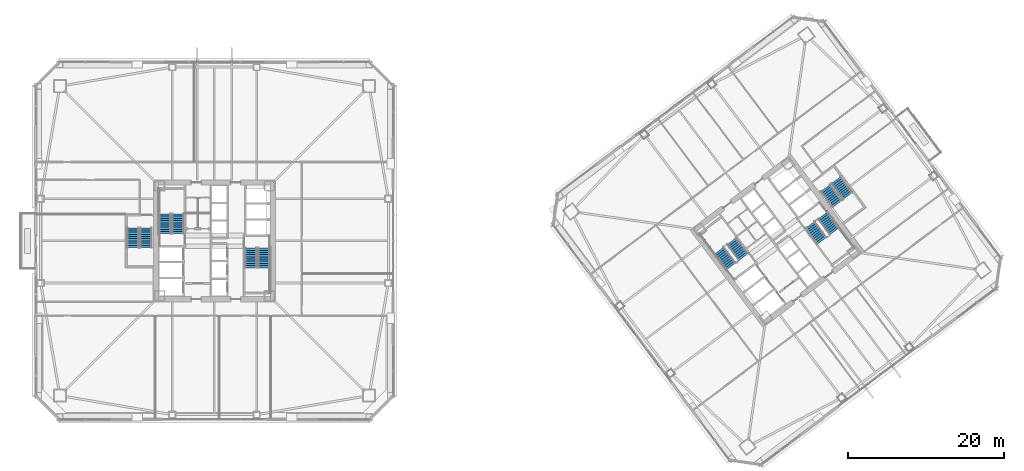
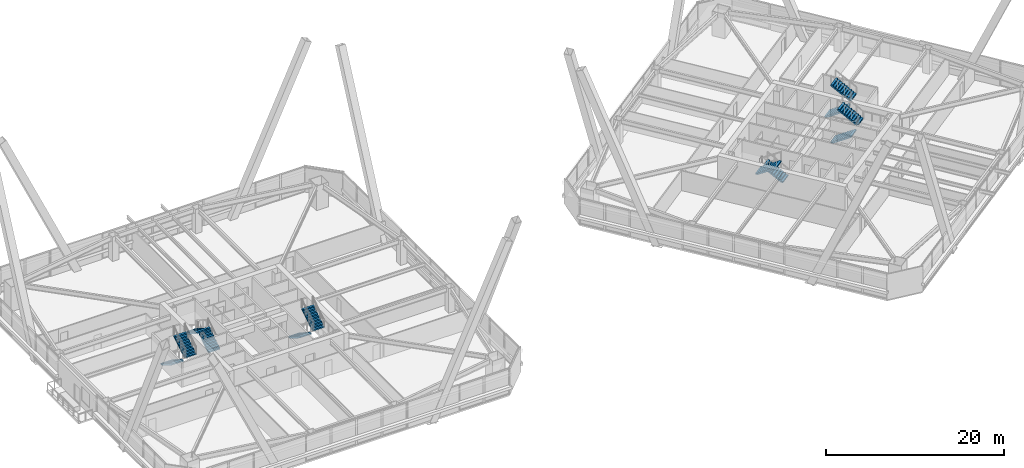
# One storey, part 66 of 75: 12 stair flights, 6 elements without a shape of their own.
"""IFC4 building model written with IfcOpenShell, lengths in metres."""

from ifc_helpers import new_model, si_unit, direction, frame, origin, place, context, subcontext, project, spatial, polyline, outline, extrude, material, type_object, element, aggregate, save


model = new_model("IFC4")

# Units and contexts
model_context = context("Model", 3, precision=1e-05, world=origin(), true_north=direction((0.0, 1.0)))
body_context = subcontext(model_context, "Body", "Model", "MODEL_VIEW")
ifc_project = project(units=[si_unit("LENGTHUNIT", "METRE"), si_unit("AREAUNIT", "SQUARE_METRE"), si_unit("VOLUMEUNIT", "CUBIC_METRE"), si_unit("PLANEANGLEUNIT", "RADIAN"), si_unit("MASSUNIT", "GRAM", prefix="KILO")], contexts=[model_context])

# Site, building, storey
site_placement = place(None, origin())
site = spatial("IfcSite", under=ifc_project, at=site_placement, CompositionType="ELEMENT")
building_placement = place(site_placement, origin())
building = spatial("IfcBuilding", under=site, at=building_placement, Name="Tashvorn Skyway Center", CompositionType="ELEMENT")
storey_placement = place(building_placement, frame((0.0, 0.0, 45.89990234375)))
storey = spatial("IfcBuildingStorey", under=building, at=storey_placement, Name="L11", CompositionType="ELEMENT", Elevation=45.89990234375)

# Stair, stair flights
ifc_material = material(Name="Concrete C40/50", Category="concrete")
stair_type = type_object("IfcStairType", Name="STAIR-CORE-1500", PredefinedType="HALF_TURN_STAIR", material=ifc_material)
stair_1_placement = place(storey_placement, origin())
stair_1 = element("IfcStair", 1, at=stair_1_placement, inside=storey, type_object=stair_type, Name="L11 Tower 1 Exit Stair 1", PredefinedType="HALF_TURN_STAIR")
stair_flight_type = type_object("IfcStairFlightType", Name="SFLIGHT-1500", PredefinedType="STRAIGHT", material=ifc_material)
stair_flight_1_placement = place(storey_placement, frame((37.35009765625, 32.919921875, 0.0), z_axis=(0.0, 0.0, 1.0), x_axis=(0.0, 1.0, 0.0)))
stair_flight_1 = element("IfcStairFlight", 2, at=stair_flight_1_placement, type_object=stair_flight_type, Name="ST-T1-1 flight 1", NumberOfRisers=10, NumberOfTreads=9, PredefinedType="STRAIGHT", RiserHeight=0.1775, TreadLength=0.28, context=body_context, shape_type="SweptSolid", body=[
    extrude(outline(polyline([(0.0, 0.0), (0.0, 0.177490234375), (0.280029296875, 0.177490234375), (0.280029296875, 0.35498046875), (0.56005859375, 0.35498046875), (0.56005859375, 0.532470703125), (0.840087890625, 0.532470703125), (0.840087890625, 0.7099609375), (1.1201171875, 0.7099609375), (1.1201171875, 0.887451171875), (1.39990234375, 0.887451171875), (1.39990234375, 1.06494140625), (1.679931640625, 1.06494140625), (1.679931640625, 1.242431640625), (1.9599609375, 1.242431640625), (1.9599609375, 1.419921875), (2.239990234375, 1.419921875), (2.239990234375, 1.597412109375), (2.52001953125, 1.597412109375), (2.52001953125, 1.77490234375), (2.52001953125, 1.419921875), (0.280029296875, 0.0), (0.0, 0.0)])), frame((0.0, 0.75, 0.0), z_axis=(0.0, -1.0, 0.0), x_axis=(1.0, 0.0, 0.0)), (0.0, 0.0, 1.0), 1.5),
])
stair_flight_2_placement = place(storey_placement, frame((35.64990234375, 35.43994140625, 1.775146484375), z_axis=(0.0, 0.0, 1.0), x_axis=(0.0, -1.0, 0.0)))
stair_flight_2 = element("IfcStairFlight", 3, at=stair_flight_2_placement, type_object=stair_flight_type, Name="ST-T1-1 flight 2", NumberOfRisers=10, NumberOfTreads=9, PredefinedType="STRAIGHT", RiserHeight=0.1775, TreadLength=0.28, context=body_context, shape_type="SweptSolid", body=[
    extrude(outline(polyline([(0.0, 0.0), (0.0, 0.177490234375), (0.280029296875, 0.177490234375), (0.280029296875, 0.35498046875), (0.56005859375, 0.35498046875), (0.56005859375, 0.532470703125), (0.840087890625, 0.532470703125), (0.840087890625, 0.7099609375), (1.1201171875, 0.7099609375), (1.1201171875, 0.887451171875), (1.39990234375, 0.887451171875), (1.39990234375, 1.06494140625), (1.679931640625, 1.06494140625), (1.679931640625, 1.242431640625), (1.9599609375, 1.242431640625), (1.9599609375, 1.419921875), (2.239990234375, 1.419921875), (2.239990234375, 1.597412109375), (2.52001953125, 1.597412109375), (2.52001953125, 1.77490234375), (2.52001953125, 1.419921875), (0.280029296875, 0.0), (0.0, 0.0)])), frame((0.0, 0.75, 0.0), z_axis=(0.0, -1.0, 0.0), x_axis=(1.0, 0.0, 0.0)), (0.0, 0.0, 1.0), 1.5),
])
aggregate(stair_1, [stair_flight_1, stair_flight_2])

stair_2_placement = place(storey_placement, origin())
stair_2 = element("IfcStair", 4, at=stair_2_placement, inside=storey, type_object=stair_type, Name="L11 Tower 1 Exit Stair 2", PredefinedType="HALF_TURN_STAIR")
stair_flight_3_placement = place(storey_placement, frame((46.64990234375, 31.080078125, 0.0), z_axis=(0.0, 0.0, 1.0), x_axis=(0.0, -1.0, 0.0)))
stair_flight_3 = element("IfcStairFlight", 5, at=stair_flight_3_placement, type_object=stair_flight_type, Name="ST-T1-2 flight 1", NumberOfRisers=10, NumberOfTreads=9, PredefinedType="STRAIGHT", RiserHeight=0.1775, TreadLength=0.28, context=body_context, shape_type="SweptSolid", body=[
    extrude(outline(polyline([(0.0, 0.0), (0.0, 0.177490234375), (0.280029296875, 0.177490234375), (0.280029296875, 0.35498046875), (0.56005859375, 0.35498046875), (0.56005859375, 0.532470703125), (0.840087890625, 0.532470703125), (0.840087890625, 0.7099609375), (1.1201171875, 0.7099609375), (1.1201171875, 0.887451171875), (1.39990234375, 0.887451171875), (1.39990234375, 1.06494140625), (1.679931640625, 1.06494140625), (1.679931640625, 1.242431640625), (1.9599609375, 1.242431640625), (1.9599609375, 1.419921875), (2.239990234375, 1.419921875), (2.239990234375, 1.597412109375), (2.52001953125, 1.597412109375), (2.52001953125, 1.77490234375), (2.52001953125, 1.419921875), (0.280029296875, 0.0), (0.0, 0.0)])), frame((0.0, 0.75, 0.0), z_axis=(0.0, -1.0, 0.0), x_axis=(1.0, 0.0, 0.0)), (0.0, 0.0, 1.0), 1.5),
])
stair_flight_4_placement = place(storey_placement, frame((48.35009765625, 28.56005859375, 1.775146484375), z_axis=(0.0, 0.0, 1.0), x_axis=(0.0, 1.0, 0.0)))
stair_flight_4 = element("IfcStairFlight", 6, at=stair_flight_4_placement, type_object=stair_flight_type, Name="ST-T1-2 flight 2", NumberOfRisers=10, NumberOfTreads=9, PredefinedType="STRAIGHT", RiserHeight=0.1775, TreadLength=0.28, context=body_context, shape_type="SweptSolid", body=[
    extrude(outline(polyline([(0.0, 0.0), (0.0, 0.177490234375), (0.280029296875, 0.177490234375), (0.280029296875, 0.35498046875), (0.56005859375, 0.35498046875), (0.56005859375, 0.532470703125), (0.840087890625, 0.532470703125), (0.840087890625, 0.7099609375), (1.1201171875, 0.7099609375), (1.1201171875, 0.887451171875), (1.39990234375, 0.887451171875), (1.39990234375, 1.06494140625), (1.679931640625, 1.06494140625), (1.679931640625, 1.242431640625), (1.9599609375, 1.242431640625), (1.9599609375, 1.419921875), (2.239990234375, 1.419921875), (2.239990234375, 1.597412109375), (2.52001953125, 1.597412109375), (2.52001953125, 1.77490234375), (2.52001953125, 1.419921875), (0.280029296875, 0.0), (0.0, 0.0)])), frame((0.0, 0.75, 0.0), z_axis=(0.0, -1.0, 0.0), x_axis=(1.0, 0.0, 0.0)), (0.0, 0.0, 1.0), 1.5),
])
aggregate(stair_2, [stair_flight_3, stair_flight_4])

stair_3_placement = place(storey_placement, origin())
stair_3 = element("IfcStair", 7, at=stair_3_placement, inside=storey, type_object=stair_type, Name="L11 Tower 2 Exit Stair 1", PredefinedType="HALF_TURN_STAIR")
stair_flight_5_placement = place(storey_placement, frame((109.72802734375, 29.946044921875, 0.0), z_axis=(0.0, 0.0, 1.0), x_axis=(-0.600000004945, 0.799999996291, 0.0)))
stair_flight_5 = element("IfcStairFlight", 8, at=stair_flight_5_placement, type_object=stair_flight_type, Name="ST-T2-1 flight 1", NumberOfRisers=10, NumberOfTreads=9, PredefinedType="STRAIGHT", RiserHeight=0.1775, TreadLength=0.28, context=body_context, shape_type="SweptSolid", body=[
    extrude(outline(polyline([(0.0, 0.0), (0.0, 0.177490234375), (0.280029296875, 0.177490234375), (0.280029296875, 0.35498046875), (0.56005859375, 0.35498046875), (0.56005859375, 0.532470703125), (0.840087890625, 0.532470703125), (0.840087890625, 0.7099609375), (1.1201171875, 0.7099609375), (1.1201171875, 0.887451171875), (1.39990234375, 0.887451171875), (1.39990234375, 1.06494140625), (1.679931640625, 1.06494140625), (1.679931640625, 1.242431640625), (1.9599609375, 1.242431640625), (1.9599609375, 1.419921875), (2.239990234375, 1.419921875), (2.239990234375, 1.597412109375), (2.52001953125, 1.597412109375), (2.52001953125, 1.77490234375), (2.52001953125, 1.419921875), (0.280029296875, 0.0), (0.0, 0.0)])), frame((0.0, 0.75, 0.0), z_axis=(0.0, -1.0, 0.0), x_axis=(1.0, 0.0, 0.0)), (0.0, 0.0, 1.0), 1.5),
])
stair_flight_6_placement = place(storey_placement, frame((106.632080078125, 30.77392578125, 1.775146484375), z_axis=(0.0, 0.0, 1.0), x_axis=(0.600000004945, -0.799999996291, 0.0)))
stair_flight_6 = element("IfcStairFlight", 9, at=stair_flight_6_placement, type_object=stair_flight_type, Name="ST-T2-1 flight 2", NumberOfRisers=10, NumberOfTreads=9, PredefinedType="STRAIGHT", RiserHeight=0.1775, TreadLength=0.28, context=body_context, shape_type="SweptSolid", body=[
    extrude(outline(polyline([(0.0, 0.0), (0.0, 0.177490234375), (0.280029296875, 0.177490234375), (0.280029296875, 0.35498046875), (0.56005859375, 0.35498046875), (0.56005859375, 0.532470703125), (0.840087890625, 0.532470703125), (0.840087890625, 0.7099609375), (1.1201171875, 0.7099609375), (1.1201171875, 0.887451171875), (1.39990234375, 0.887451171875), (1.39990234375, 1.06494140625), (1.679931640625, 1.06494140625), (1.679931640625, 1.242431640625), (1.9599609375, 1.242431640625), (1.9599609375, 1.419921875), (2.239990234375, 1.419921875), (2.239990234375, 1.597412109375), (2.52001953125, 1.597412109375), (2.52001953125, 1.77490234375), (2.52001953125, 1.419921875), (0.280029296875, 0.0), (0.0, 0.0)])), frame((0.0, 0.75, 0.0), z_axis=(0.0, -1.0, 0.0), x_axis=(1.0, 0.0, 0.0)), (0.0, 0.0, 1.0), 1.5),
])
aggregate(stair_3, [stair_flight_5, stair_flight_6])

stair_4_placement = place(storey_placement, origin())
stair_4 = element("IfcStair", 10, at=stair_4_placement, inside=storey, type_object=stair_type, Name="L11 Tower 2 Exit Stair 2", PredefinedType="HALF_TURN_STAIR")
stair_flight_7_placement = place(storey_placement, frame((118.27197265625, 34.053955078125, 0.0), z_axis=(0.0, 0.0, 1.0), x_axis=(0.600000004945, -0.799999996291, 0.0)))
stair_flight_7 = element("IfcStairFlight", 11, at=stair_flight_7_placement, type_object=stair_flight_type, Name="ST-T2-2 flight 1", NumberOfRisers=10, NumberOfTreads=9, PredefinedType="STRAIGHT", RiserHeight=0.1775, TreadLength=0.28, context=body_context, shape_type="SweptSolid", body=[
    extrude(outline(polyline([(0.0, 0.0), (0.0, 0.177490234375), (0.280029296875, 0.177490234375), (0.280029296875, 0.35498046875), (0.56005859375, 0.35498046875), (0.56005859375, 0.532470703125), (0.840087890625, 0.532470703125), (0.840087890625, 0.7099609375), (1.1201171875, 0.7099609375), (1.1201171875, 0.887451171875), (1.39990234375, 0.887451171875), (1.39990234375, 1.06494140625), (1.679931640625, 1.06494140625), (1.679931640625, 1.242431640625), (1.9599609375, 1.242431640625), (1.9599609375, 1.419921875), (2.239990234375, 1.419921875), (2.239990234375, 1.597412109375), (2.52001953125, 1.597412109375), (2.52001953125, 1.77490234375), (2.52001953125, 1.419921875), (0.280029296875, 0.0), (0.0, 0.0)])), frame((0.0, 0.75, 0.0), z_axis=(0.0, -1.0, 0.0), x_axis=(1.0, 0.0, 0.0)), (0.0, 0.0, 1.0), 1.5),
])
stair_flight_8_placement = place(storey_placement, frame((121.367919921875, 33.22607421875, 1.775146484375), z_axis=(0.0, 0.0, 1.0), x_axis=(-0.600000004945, 0.799999996291, 0.0)))
stair_flight_8 = element("IfcStairFlight", 12, at=stair_flight_8_placement, type_object=stair_flight_type, Name="ST-T2-2 flight 2", NumberOfRisers=10, NumberOfTreads=9, PredefinedType="STRAIGHT", RiserHeight=0.1775, TreadLength=0.28, context=body_context, shape_type="SweptSolid", body=[
    extrude(outline(polyline([(0.0, 0.0), (0.0, 0.177490234375), (0.280029296875, 0.177490234375), (0.280029296875, 0.35498046875), (0.56005859375, 0.35498046875), (0.56005859375, 0.532470703125), (0.840087890625, 0.532470703125), (0.840087890625, 0.7099609375), (1.1201171875, 0.7099609375), (1.1201171875, 0.887451171875), (1.39990234375, 0.887451171875), (1.39990234375, 1.06494140625), (1.679931640625, 1.06494140625), (1.679931640625, 1.242431640625), (1.9599609375, 1.242431640625), (1.9599609375, 1.419921875), (2.239990234375, 1.419921875), (2.239990234375, 1.597412109375), (2.52001953125, 1.597412109375), (2.52001953125, 1.77490234375), (2.52001953125, 1.419921875), (0.280029296875, 0.0), (0.0, 0.0)])), frame((0.0, 0.75, 0.0), z_axis=(0.0, -1.0, 0.0), x_axis=(1.0, 0.0, 0.0)), (0.0, 0.0, 1.0), 1.5),
])
aggregate(stair_4, [stair_flight_7, stair_flight_8])

stair_5_placement = place(storey_placement, origin())
stair_5 = element("IfcStair", 13, at=stair_5_placement, inside=storey, type_object=stair_type, Name="L11 Tower 1 Exit Stair 3", PredefinedType="HALF_TURN_STAIR")
stair_flight_9_placement = place(storey_placement, frame((31.550048828125, 33.679931640625, 0.0), z_axis=(0.0, 0.0, 1.0), x_axis=(0.0, -1.0, 0.0)))
stair_flight_9 = element("IfcStairFlight", 14, at=stair_flight_9_placement, type_object=stair_flight_type, Name="ST-T1-3 flight 1", NumberOfRisers=10, NumberOfTreads=9, PredefinedType="STRAIGHT", RiserHeight=0.1775, TreadLength=0.28, context=body_context, shape_type="SweptSolid", body=[
    extrude(outline(polyline([(0.0, 0.0), (0.0, 0.177490234375), (0.280029296875, 0.177490234375), (0.280029296875, 0.35498046875), (0.56005859375, 0.35498046875), (0.56005859375, 0.532470703125), (0.840087890625, 0.532470703125), (0.840087890625, 0.7099609375), (1.1201171875, 0.7099609375), (1.1201171875, 0.887451171875), (1.39990234375, 0.887451171875), (1.39990234375, 1.06494140625), (1.679931640625, 1.06494140625), (1.679931640625, 1.242431640625), (1.9599609375, 1.242431640625), (1.9599609375, 1.419921875), (2.239990234375, 1.419921875), (2.239990234375, 1.597412109375), (2.52001953125, 1.597412109375), (2.52001953125, 1.77490234375), (2.52001953125, 1.419921875), (0.280029296875, 0.0), (0.0, 0.0)])), frame((0.0, 0.75, 0.0), z_axis=(0.0, -1.0, 0.0), x_axis=(1.0, 0.0, 0.0)), (0.0, 0.0, 1.0), 1.5),
])
stair_flight_10_placement = place(storey_placement, frame((33.25, 31.159912109375, 1.775146484375), z_axis=(0.0, 0.0, 1.0), x_axis=(0.0, 1.0, 0.0)))
stair_flight_10 = element("IfcStairFlight", 15, at=stair_flight_10_placement, type_object=stair_flight_type, Name="ST-T1-3 flight 2", NumberOfRisers=10, NumberOfTreads=9, PredefinedType="STRAIGHT", RiserHeight=0.1775, TreadLength=0.28, context=body_context, shape_type="SweptSolid", body=[
    extrude(outline(polyline([(0.0, 0.0), (0.0, 0.177490234375), (0.280029296875, 0.177490234375), (0.280029296875, 0.35498046875), (0.56005859375, 0.35498046875), (0.56005859375, 0.532470703125), (0.840087890625, 0.532470703125), (0.840087890625, 0.7099609375), (1.1201171875, 0.7099609375), (1.1201171875, 0.887451171875), (1.39990234375, 0.887451171875), (1.39990234375, 1.06494140625), (1.679931640625, 1.06494140625), (1.679931640625, 1.242431640625), (1.9599609375, 1.242431640625), (1.9599609375, 1.419921875), (2.239990234375, 1.419921875), (2.239990234375, 1.597412109375), (2.52001953125, 1.597412109375), (2.52001953125, 1.77490234375), (2.52001953125, 1.419921875), (0.280029296875, 0.0), (0.0, 0.0)])), frame((0.0, 0.75, 0.0), z_axis=(0.0, -1.0, 0.0), x_axis=(1.0, 0.0, 0.0)), (0.0, 0.0, 1.0), 1.5),
])
aggregate(stair_5, [stair_flight_9, stair_flight_10])

stair_6_placement = place(storey_placement, origin())
stair_6 = element("IfcStair", 16, at=stair_6_placement, inside=storey, type_object=stair_type, Name="L11 Tower 2 Exit Stair 3", PredefinedType="HALF_TURN_STAIR")
stair_flight_11_placement = place(storey_placement, frame((120.216064453125, 38.761962890625, 0.0), z_axis=(0.0, 0.0, 1.0), x_axis=(0.600000004945, -0.799999996291, 0.0)))
stair_flight_11 = element("IfcStairFlight", 17, at=stair_flight_11_placement, type_object=stair_flight_type, Name="ST-T2-3 flight 1", NumberOfRisers=10, NumberOfTreads=9, PredefinedType="STRAIGHT", RiserHeight=0.1775, TreadLength=0.28, context=body_context, shape_type="SweptSolid", body=[
    extrude(outline(polyline([(0.0, 0.0), (0.0, 0.177490234375), (0.280029296875, 0.177490234375), (0.280029296875, 0.35498046875), (0.56005859375, 0.35498046875), (0.56005859375, 0.532470703125), (0.840087890625, 0.532470703125), (0.840087890625, 0.7099609375), (1.1201171875, 0.7099609375), (1.1201171875, 0.887451171875), (1.39990234375, 0.887451171875), (1.39990234375, 1.06494140625), (1.679931640625, 1.06494140625), (1.679931640625, 1.242431640625), (1.9599609375, 1.242431640625), (1.9599609375, 1.419921875), (2.239990234375, 1.419921875), (2.239990234375, 1.597412109375), (2.52001953125, 1.597412109375), (2.52001953125, 1.77490234375), (2.52001953125, 1.419921875), (0.280029296875, 0.0), (0.0, 0.0)])), frame((0.0, 0.75, 0.0), z_axis=(0.0, -1.0, 0.0), x_axis=(1.0, 0.0, 0.0)), (0.0, 0.0, 1.0), 1.5),
])
stair_flight_12_placement = place(storey_placement, frame((123.087890625, 37.76611328125, 1.775146484375), z_axis=(0.0, 0.0, 1.0), x_axis=(-0.600000004945, 0.799999996291, 0.0)))
stair_flight_12 = element("IfcStairFlight", 18, at=stair_flight_12_placement, type_object=stair_flight_type, Name="ST-T2-3 flight 2", NumberOfRisers=10, NumberOfTreads=9, PredefinedType="STRAIGHT", RiserHeight=0.1775, TreadLength=0.28, context=body_context, shape_type="SweptSolid", body=[
    extrude(outline(polyline([(0.0, 0.0), (0.0, 0.177490234375), (0.280029296875, 0.177490234375), (0.280029296875, 0.35498046875), (0.56005859375, 0.35498046875), (0.56005859375, 0.532470703125), (0.840087890625, 0.532470703125), (0.840087890625, 0.7099609375), (1.1201171875, 0.7099609375), (1.1201171875, 0.887451171875), (1.39990234375, 0.887451171875), (1.39990234375, 1.06494140625), (1.679931640625, 1.06494140625), (1.679931640625, 1.242431640625), (1.9599609375, 1.242431640625), (1.9599609375, 1.419921875), (2.239990234375, 1.419921875), (2.239990234375, 1.597412109375), (2.52001953125, 1.597412109375), (2.52001953125, 1.77490234375), (2.52001953125, 1.419921875), (0.280029296875, 0.0), (0.0, 0.0)])), frame((0.0, 0.75, 0.0), z_axis=(0.0, -1.0, 0.0), x_axis=(1.0, 0.0, 0.0)), (0.0, 0.0, 1.0), 1.5),
])
aggregate(stair_6, [stair_flight_11, stair_flight_12])

save(model, "model.ifc")
